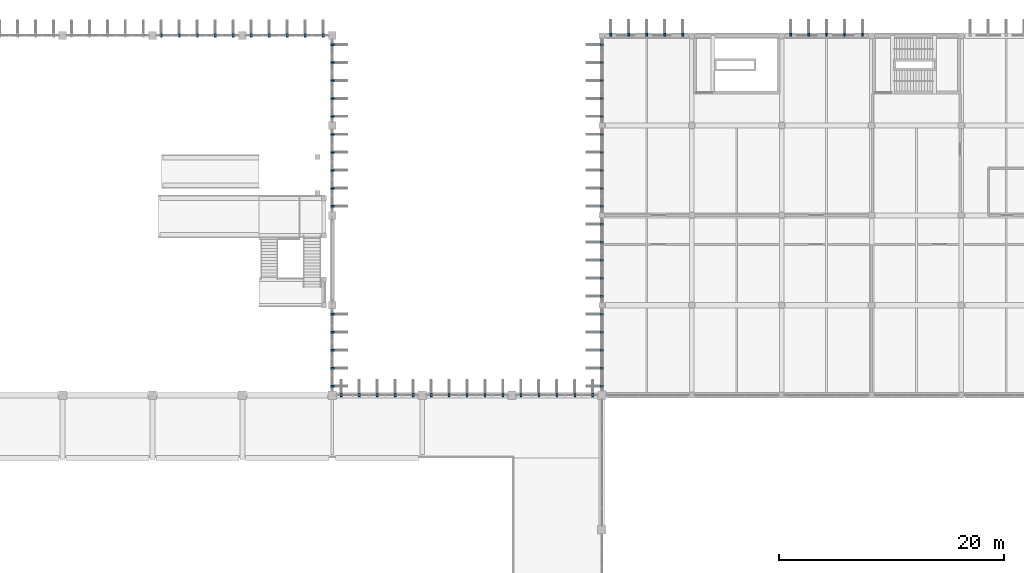
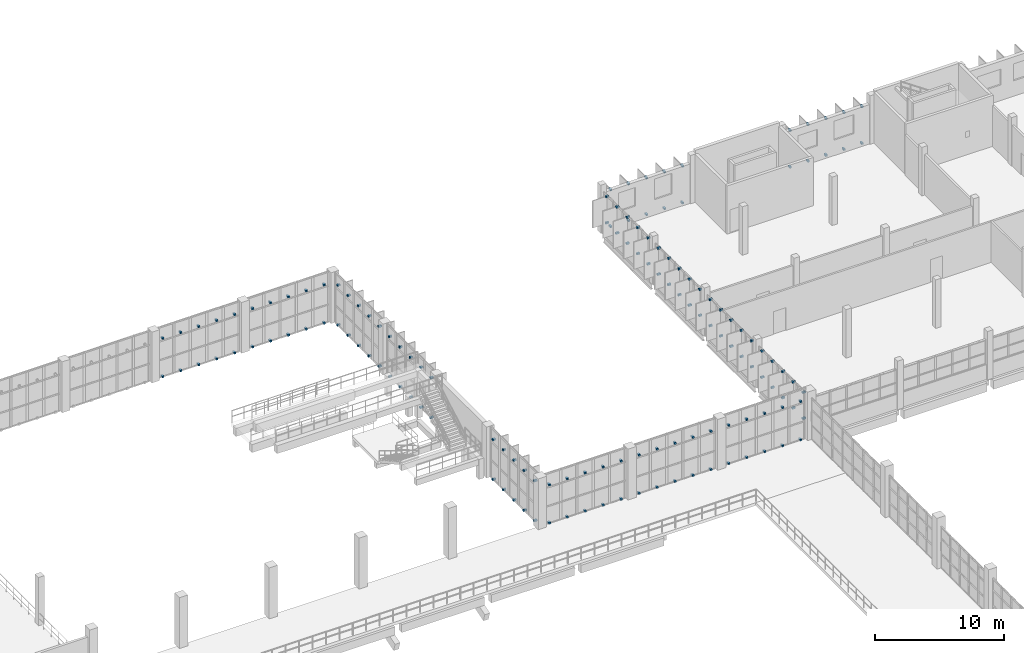
# One storey, part 83 of 93: 140 discrete accessories.
"""IFC4 building model written with IfcOpenShell, lengths in metres."""

from ifc_helpers import new_model, si_unit, direction, frame, origin, origin_2d, place, context, subcontext, project, spatial, rectangle, extrude, material, type_object, element, save


model = new_model("IFC4")

# Units and contexts
model_context = context("Model", 3, precision=1e-05, world=origin(), true_north=direction((0.0, 1.0)))
body_context = subcontext(model_context, "Body", "Model", "MODEL_VIEW")
ifc_project = project(units=[si_unit("LENGTHUNIT", "METRE"), si_unit("AREAUNIT", "SQUARE_METRE"), si_unit("VOLUMEUNIT", "CUBIC_METRE"), si_unit("PLANEANGLEUNIT", "RADIAN"), si_unit("MASSUNIT", "GRAM", prefix="KILO")], contexts=[model_context])

# Site, building, storey
site_placement = place(None, origin())
site = spatial("IfcSite", under=ifc_project, at=site_placement, CompositionType="ELEMENT")
building_placement = place(site_placement, origin())
building = spatial("IfcBuilding", under=site, at=building_placement, Name="Drelvana Railside Aquatics Centre", CompositionType="ELEMENT")
storey_placement = place(building_placement, frame((0.0, 0.0, 5.39990234375)))
storey = spatial("IfcBuildingStorey", under=building, at=storey_placement, Name="L01", CompositionType="ELEMENT", Elevation=5.39990234375)

# Discrete accessories
ifc_material = material(Name="Stainless steel 316 facade bracket", Category="steel")
discrete_accessory_type = type_object("IfcDiscreteAccessoryType", Name="ACC-BRACKET-FIN", PredefinedType="BRACKET", material=ifc_material)
for number, where, z_axis, x_axis, name in (
    (1, (72.800048828125, 84.010009765625, -0.03466796875), (0.0, 0.0, 1.0), (0.0, 1.0, 0.0), "Shading fin bracket BK-0303"),
    (2, (72.800048828125, 84.010009765625, 3.5751953125), (0.0, 0.0, 1.0), (0.0, 1.0, 0.0), "Shading fin bracket BK-0304"),
    (3, (74.39990234375, 84.010009765625, -0.03466796875), (0.0, 0.0, 1.0), (0.0, 1.0, 0.0), "Shading fin bracket BK-0305"),
    (4, (74.39990234375, 84.010009765625, 3.5751953125), (0.0, 0.0, 1.0), (0.0, 1.0, 0.0), "Shading fin bracket BK-0306"),
    (5, (76.0, 84.010009765625, -0.03466796875), (0.0, 0.0, 1.0), (0.0, 1.0, 0.0), "Shading fin bracket BK-0307"),
    (6, (76.0, 84.010009765625, 3.5751953125), (0.0, 0.0, 1.0), (0.0, 1.0, 0.0), "Shading fin bracket BK-0308"),
    (7, (77.60009765625, 84.010009765625, -0.03466796875), (0.0, 0.0, 1.0), (0.0, 1.0, 0.0), "Shading fin bracket BK-0309"),
    (8, (77.60009765625, 84.010009765625, 3.5751953125), (0.0, 0.0, 1.0), (0.0, 1.0, 0.0), "Shading fin bracket BK-0310"),
    (9, (79.199951171875, 84.010009765625, -0.03466796875), (0.0, 0.0, 1.0), (0.0, 1.0, 0.0), "Shading fin bracket BK-0311"),
    (10, (79.199951171875, 84.010009765625, 3.5751953125), (0.0, 0.0, 1.0), (0.0, 1.0, 0.0), "Shading fin bracket BK-0312"),
    (11, (80.800048828125, 84.010009765625, -0.03466796875), (0.0, 0.0, 1.0), (0.0, 1.0, 0.0), "Shading fin bracket BK-0315"),
    (12, (80.800048828125, 84.010009765625, 3.5751953125), (0.0, 0.0, 1.0), (0.0, 1.0, 0.0), "Shading fin bracket BK-0316"),
    (13, (82.39990234375, 84.010009765625, -0.03466796875), (0.0, 0.0, 1.0), (0.0, 1.0, 0.0), "Shading fin bracket BK-0317"),
    (14, (82.39990234375, 84.010009765625, 3.5751953125), (0.0, 0.0, 1.0), (0.0, 1.0, 0.0), "Shading fin bracket BK-0318"),
    (15, (84.0, 84.010009765625, -0.03466796875), (0.0, 0.0, 1.0), (0.0, 1.0, 0.0), "Shading fin bracket BK-0319"),
    (16, (84.0, 84.010009765625, 3.5751953125), (0.0, 0.0, 1.0), (0.0, 1.0, 0.0), "Shading fin bracket BK-0320"),
    (17, (85.60009765625, 84.010009765625, -0.03466796875), (0.0, 0.0, 1.0), (0.0, 1.0, 0.0), "Shading fin bracket BK-0321"),
    (18, (85.60009765625, 84.010009765625, 3.5751953125), (0.0, 0.0, 1.0), (0.0, 1.0, 0.0), "Shading fin bracket BK-0322"),
    (19, (87.199951171875, 84.010009765625, -0.03466796875), (0.0, 0.0, 1.0), (0.0, 1.0, 0.0), "Shading fin bracket BK-0323"),
    (20, (87.199951171875, 84.010009765625, 3.5751953125), (0.0, 0.0, 1.0), (0.0, 1.0, 0.0), "Shading fin bracket BK-0324"),
    (21, (88.800048828125, 84.010009765625, -0.03466796875), (0.0, 0.0, 1.0), (0.0, 1.0, 0.0), "Shading fin bracket BK-0335"),
    (22, (88.800048828125, 84.010009765625, 3.5751953125), (0.0, 0.0, 1.0), (0.0, 1.0, 0.0), "Shading fin bracket BK-0336"),
    (23, (90.39990234375, 84.010009765625, -0.03466796875), (0.0, 0.0, 1.0), (0.0, 1.0, 0.0), "Shading fin bracket BK-0337"),
    (24, (90.39990234375, 84.010009765625, 3.5751953125), (0.0, 0.0, 1.0), (0.0, 1.0, 0.0), "Shading fin bracket BK-0338"),
    (25, (92.0, 84.010009765625, -0.03466796875), (0.0, 0.0, 1.0), (0.0, 1.0, 0.0), "Shading fin bracket BK-0339"),
    (26, (92.0, 84.010009765625, 3.5751953125), (0.0, 0.0, 1.0), (0.0, 1.0, 0.0), "Shading fin bracket BK-0340"),
    (27, (93.60009765625, 84.010009765625, -0.03466796875), (0.0, 0.0, 1.0), (0.0, 1.0, 0.0), "Shading fin bracket BK-0341"),
    (28, (93.60009765625, 84.010009765625, 3.5751953125), (0.0, 0.0, 1.0), (0.0, 1.0, 0.0), "Shading fin bracket BK-0342"),
    (29, (95.199951171875, 84.010009765625, -0.03466796875), (0.0, 0.0, 1.0), (0.0, 1.0, 0.0), "Shading fin bracket BK-0343"),
    (30, (95.199951171875, 84.010009765625, 3.5751953125), (0.0, 0.0, 1.0), (0.0, 1.0, 0.0), "Shading fin bracket BK-0344"),
    (31, (56.800048828125, 116.010009765625, -0.03466796875), (0.0, 0.0, 1.0), (0.0, 1.0, 0.0), "Shading fin bracket BK-0383"),
    (32, (56.800048828125, 116.010009765625, 3.5751953125), (0.0, 0.0, 1.0), (0.0, 1.0, 0.0), "Shading fin bracket BK-0384"),
    (33, (58.39990234375, 116.010009765625, -0.03466796875), (0.0, 0.0, 1.0), (0.0, 1.0, 0.0), "Shading fin bracket BK-0385"),
    (34, (58.39990234375, 116.010009765625, 3.5751953125), (0.0, 0.0, 1.0), (0.0, 1.0, 0.0), "Shading fin bracket BK-0386"),
    (35, (60.0, 116.010009765625, -0.03466796875), (0.0, 0.0, 1.0), (0.0, 1.0, 0.0), "Shading fin bracket BK-0387"),
    (36, (60.0, 116.010009765625, 3.5751953125), (0.0, 0.0, 1.0), (0.0, 1.0, 0.0), "Shading fin bracket BK-0388"),
    (37, (61.60009765625, 116.010009765625, -0.03466796875), (0.0, 0.0, 1.0), (0.0, 1.0, 0.0), "Shading fin bracket BK-0389"),
    (38, (61.60009765625, 116.010009765625, 3.5751953125), (0.0, 0.0, 1.0), (0.0, 1.0, 0.0), "Shading fin bracket BK-0390"),
    (39, (63.199951171875, 116.010009765625, -0.03466796875), (0.0, 0.0, 1.0), (0.0, 1.0, 0.0), "Shading fin bracket BK-0391"),
    (40, (63.199951171875, 116.010009765625, 3.5751953125), (0.0, 0.0, 1.0), (0.0, 1.0, 0.0), "Shading fin bracket BK-0392"),
    (41, (64.800048828125, 116.010009765625, -0.03466796875), (0.0, 0.0, 1.0), (0.0, 1.0, 0.0), "Shading fin bracket BK-0403"),
    (42, (64.800048828125, 116.010009765625, 3.5751953125), (0.0, 0.0, 1.0), (0.0, 1.0, 0.0), "Shading fin bracket BK-0404"),
    (43, (66.39990234375, 116.010009765625, -0.03466796875), (0.0, 0.0, 1.0), (0.0, 1.0, 0.0), "Shading fin bracket BK-0405"),
    (44, (66.39990234375, 116.010009765625, 3.5751953125), (0.0, 0.0, 1.0), (0.0, 1.0, 0.0), "Shading fin bracket BK-0406"),
    (45, (68.0, 116.010009765625, -0.03466796875), (0.0, 0.0, 1.0), (0.0, 1.0, 0.0), "Shading fin bracket BK-0407"),
    (46, (68.0, 116.010009765625, 3.5751953125), (0.0, 0.0, 1.0), (0.0, 1.0, 0.0), "Shading fin bracket BK-0408"),
    (47, (69.60009765625, 116.010009765625, -0.03466796875), (0.0, 0.0, 1.0), (0.0, 1.0, 0.0), "Shading fin bracket BK-0409"),
    (48, (69.60009765625, 116.010009765625, 3.5751953125), (0.0, 0.0, 1.0), (0.0, 1.0, 0.0), "Shading fin bracket BK-0410"),
    (49, (71.199951171875, 116.010009765625, -0.03466796875), (0.0, 0.0, 1.0), (0.0, 1.0, 0.0), "Shading fin bracket BK-0411"),
    (50, (71.199951171875, 116.010009765625, 3.5751953125), (0.0, 0.0, 1.0), (0.0, 1.0, 0.0), "Shading fin bracket BK-0412"),
    (51, (72.02490234375, 84.800048828125, -0.03466796875), (0.0, 0.0, 1.0), (1.0, 0.0, 0.0), "Shading fin bracket BK-0905"),
    (52, (72.02490234375, 84.800048828125, 3.72509765625), (0.0, 0.0, 1.0), (1.0, 0.0, 0.0), "Shading fin bracket BK-0906"),
    (53, (72.02490234375, 86.39990234375, -0.03466796875), (0.0, 0.0, 1.0), (1.0, 0.0, 0.0), "Shading fin bracket BK-0907"),
    (54, (72.02490234375, 86.39990234375, 3.72509765625), (0.0, 0.0, 1.0), (1.0, 0.0, 0.0), "Shading fin bracket BK-0908"),
    (55, (72.02490234375, 88.0, -0.03466796875), (0.0, 0.0, 1.0), (1.0, 0.0, 0.0), "Shading fin bracket BK-0909"),
    (56, (72.02490234375, 88.0, 3.72509765625), (0.0, 0.0, 1.0), (1.0, 0.0, 0.0), "Shading fin bracket BK-0910"),
    (57, (72.02490234375, 89.60009765625, -0.03466796875), (0.0, 0.0, 1.0), (1.0, 0.0, 0.0), "Shading fin bracket BK-0911"),
    (58, (72.02490234375, 89.60009765625, 3.72509765625), (0.0, 0.0, 1.0), (1.0, 0.0, 0.0), "Shading fin bracket BK-0912"),
    (59, (72.02490234375, 91.199951171875, -0.03466796875), (0.0, 0.0, 1.0), (1.0, 0.0, 0.0), "Shading fin bracket BK-0913"),
    (60, (72.02490234375, 91.199951171875, 3.72509765625), (0.0, 0.0, 1.0), (1.0, 0.0, 0.0), "Shading fin bracket BK-0914"),
    (61, (72.02490234375, 100.800048828125, -0.03466796875), (0.0, 0.0, 1.0), (1.0, 0.0, 0.0), "Shading fin bracket BK-0915"),
    (62, (72.02490234375, 100.800048828125, 3.72509765625), (0.0, 0.0, 1.0), (1.0, 0.0, 0.0), "Shading fin bracket BK-0916"),
    (63, (72.02490234375, 102.39990234375, -0.03466796875), (0.0, 0.0, 1.0), (1.0, 0.0, 0.0), "Shading fin bracket BK-0917"),
    (64, (72.02490234375, 102.39990234375, 3.72509765625), (0.0, 0.0, 1.0), (1.0, 0.0, 0.0), "Shading fin bracket BK-0918"),
    (65, (72.02490234375, 104.0, -0.03466796875), (0.0, 0.0, 1.0), (1.0, 0.0, 0.0), "Shading fin bracket BK-0919"),
    (66, (72.02490234375, 104.0, 3.72509765625), (0.0, 0.0, 1.0), (1.0, 0.0, 0.0), "Shading fin bracket BK-0920"),
    (67, (72.02490234375, 105.60009765625, -0.03466796875), (0.0, 0.0, 1.0), (1.0, 0.0, 0.0), "Shading fin bracket BK-0921"),
    (68, (72.02490234375, 105.60009765625, 3.72509765625), (0.0, 0.0, 1.0), (1.0, 0.0, 0.0), "Shading fin bracket BK-0922"),
    (69, (72.02490234375, 107.199951171875, -0.03466796875), (0.0, 0.0, 1.0), (1.0, 0.0, 0.0), "Shading fin bracket BK-0923"),
    (70, (72.02490234375, 107.199951171875, 3.72509765625), (0.0, 0.0, 1.0), (1.0, 0.0, 0.0), "Shading fin bracket BK-0924"),
    (71, (72.02490234375, 108.800048828125, -0.03466796875), (0.0, 0.0, 1.0), (1.0, 0.0, 0.0), "Shading fin bracket BK-0925"),
    (72, (72.02490234375, 108.800048828125, 3.72509765625), (0.0, 0.0, 1.0), (1.0, 0.0, 0.0), "Shading fin bracket BK-0926"),
    (73, (72.02490234375, 110.39990234375, -0.03466796875), (0.0, 0.0, 1.0), (1.0, 0.0, 0.0), "Shading fin bracket BK-0927"),
    (74, (72.02490234375, 110.39990234375, 3.72509765625), (0.0, 0.0, 1.0), (1.0, 0.0, 0.0), "Shading fin bracket BK-0928"),
    (75, (72.02490234375, 112.0, -0.03466796875), (0.0, 0.0, 1.0), (1.0, 0.0, 0.0), "Shading fin bracket BK-0929"),
    (76, (72.02490234375, 112.0, 3.72509765625), (0.0, 0.0, 1.0), (1.0, 0.0, 0.0), "Shading fin bracket BK-0930"),
    (77, (72.02490234375, 113.60009765625, -0.03466796875), (0.0, 0.0, 1.0), (1.0, 0.0, 0.0), "Shading fin bracket BK-0931"),
    (78, (72.02490234375, 113.60009765625, 3.72509765625), (0.0, 0.0, 1.0), (1.0, 0.0, 0.0), "Shading fin bracket BK-0932"),
    (79, (72.02490234375, 115.199951171875, -0.03466796875), (0.0, 0.0, 1.0), (1.0, 0.0, 0.0), "Shading fin bracket BK-0933"),
    (80, (72.02490234375, 115.199951171875, 3.72509765625), (0.0, 0.0, 1.0), (1.0, 0.0, 0.0), "Shading fin bracket BK-0934"),
    (81, (96.800048828125, 116.0849609375, 0.06494140625), (0.0, 0.0, 1.0), (0.0, 1.0, 0.0), "Shading fin bracket BK-0955"),
    (82, (96.800048828125, 116.0849609375, 3.52490234375), (0.0, 0.0, 1.0), (0.0, 1.0, 0.0), "Shading fin bracket BK-0956"),
    (83, (98.39990234375, 116.0849609375, 0.06494140625), (0.0, 0.0, 1.0), (0.0, 1.0, 0.0), "Shading fin bracket BK-0957"),
    (84, (98.39990234375, 116.0849609375, 3.52490234375), (0.0, 0.0, 1.0), (0.0, 1.0, 0.0), "Shading fin bracket BK-0958"),
    (85, (100.0, 116.0849609375, 0.06494140625), (0.0, 0.0, 1.0), (0.0, 1.0, 0.0), "Shading fin bracket BK-0959"),
    (86, (100.0, 116.0849609375, 3.52490234375), (0.0, 0.0, 1.0), (0.0, 1.0, 0.0), "Shading fin bracket BK-0960"),
    (87, (101.60009765625, 116.0849609375, 0.06494140625), (0.0, 0.0, 1.0), (0.0, 1.0, 0.0), "Shading fin bracket BK-0961"),
    (88, (101.60009765625, 116.0849609375, 3.52490234375), (0.0, 0.0, 1.0), (0.0, 1.0, 0.0), "Shading fin bracket BK-0962"),
    (89, (103.199951171875, 116.0849609375, 0.06494140625), (0.0, 0.0, 1.0), (0.0, 1.0, 0.0), "Shading fin bracket BK-0963"),
    (90, (103.199951171875, 116.0849609375, 3.52490234375), (0.0, 0.0, 1.0), (0.0, 1.0, 0.0), "Shading fin bracket BK-0964"),
    (91, (112.800048828125, 116.0849609375, 0.06494140625), (0.0, 0.0, 1.0), (0.0, 1.0, 0.0), "Shading fin bracket BK-0975"),
    (92, (112.800048828125, 116.0849609375, 3.52490234375), (0.0, 0.0, 1.0), (0.0, 1.0, 0.0), "Shading fin bracket BK-0976"),
    (93, (114.39990234375, 116.0849609375, 0.06494140625), (0.0, 0.0, 1.0), (0.0, 1.0, 0.0), "Shading fin bracket BK-0977"),
    (94, (114.39990234375, 116.0849609375, 3.52490234375), (0.0, 0.0, 1.0), (0.0, 1.0, 0.0), "Shading fin bracket BK-0978"),
    (95, (116.0, 116.0849609375, 0.06494140625), (0.0, 0.0, 1.0), (0.0, 1.0, 0.0), "Shading fin bracket BK-0979"),
    (96, (116.0, 116.0849609375, 3.52490234375), (0.0, 0.0, 1.0), (0.0, 1.0, 0.0), "Shading fin bracket BK-0980"),
    (97, (117.60009765625, 116.0849609375, 0.06494140625), (0.0, 0.0, 1.0), (0.0, 1.0, 0.0), "Shading fin bracket BK-0981"),
    (98, (117.60009765625, 116.0849609375, 3.52490234375), (0.0, 0.0, 1.0), (0.0, 1.0, 0.0), "Shading fin bracket BK-0982"),
    (99, (119.199951171875, 116.0849609375, 0.06494140625), (0.0, 0.0, 1.0), (0.0, 1.0, 0.0), "Shading fin bracket BK-0983"),
    (100, (119.199951171875, 116.0849609375, 3.52490234375), (0.0, 0.0, 1.0), (0.0, 1.0, 0.0), "Shading fin bracket BK-0984"),
    (101, (95.97509765625, 84.800048828125, 1.21533203125), (0.0, 0.0, 1.0), (-1.0, 0.0, 0.0), "Shading fin bracket BK-1015"),
    (102, (95.97509765625, 84.800048828125, 3.67529296875), (0.0, 0.0, 1.0), (-1.0, 0.0, 0.0), "Shading fin bracket BK-1016"),
    (103, (95.97509765625, 86.39990234375, 1.21533203125), (0.0, 0.0, 1.0), (-1.0, 0.0, 0.0), "Shading fin bracket BK-1017"),
    (104, (95.97509765625, 86.39990234375, 3.67529296875), (0.0, 0.0, 1.0), (-1.0, 0.0, 0.0), "Shading fin bracket BK-1018"),
    (105, (95.97509765625, 88.0, 1.21533203125), (0.0, 0.0, 1.0), (-1.0, 0.0, 0.0), "Shading fin bracket BK-1019"),
    (106, (95.97509765625, 88.0, 3.67529296875), (0.0, 0.0, 1.0), (-1.0, 0.0, 0.0), "Shading fin bracket BK-1020"),
    (107, (95.97509765625, 89.60009765625, 1.21533203125), (0.0, 0.0, 1.0), (-1.0, 0.0, 0.0), "Shading fin bracket BK-1021"),
    (108, (95.97509765625, 89.60009765625, 3.67529296875), (0.0, 0.0, 1.0), (-1.0, 0.0, 0.0), "Shading fin bracket BK-1022"),
    (109, (95.97509765625, 91.199951171875, 1.21533203125), (0.0, 0.0, 1.0), (-1.0, 0.0, 0.0), "Shading fin bracket BK-1023"),
    (110, (95.97509765625, 91.199951171875, 3.67529296875), (0.0, 0.0, 1.0), (-1.0, 0.0, 0.0), "Shading fin bracket BK-1024"),
    (111, (95.97509765625, 92.800048828125, 1.21533203125), (0.0, 0.0, 1.0), (-1.0, 0.0, 0.0), "Shading fin bracket BK-1035"),
    (112, (95.97509765625, 92.800048828125, 3.67529296875), (0.0, 0.0, 1.0), (-1.0, 0.0, 0.0), "Shading fin bracket BK-1036"),
    (113, (95.97509765625, 94.39990234375, 1.21533203125), (0.0, 0.0, 1.0), (-1.0, 0.0, 0.0), "Shading fin bracket BK-1037"),
    (114, (95.97509765625, 94.39990234375, 3.67529296875), (0.0, 0.0, 1.0), (-1.0, 0.0, 0.0), "Shading fin bracket BK-1038"),
    (115, (95.97509765625, 96.0, 1.21533203125), (0.0, 0.0, 1.0), (-1.0, 0.0, 0.0), "Shading fin bracket BK-1039"),
    (116, (95.97509765625, 96.0, 3.67529296875), (0.0, 0.0, 1.0), (-1.0, 0.0, 0.0), "Shading fin bracket BK-1040"),
    (117, (95.97509765625, 97.60009765625, 1.21533203125), (0.0, 0.0, 1.0), (-1.0, 0.0, 0.0), "Shading fin bracket BK-1041"),
    (118, (95.97509765625, 97.60009765625, 3.67529296875), (0.0, 0.0, 1.0), (-1.0, 0.0, 0.0), "Shading fin bracket BK-1042"),
    (119, (95.97509765625, 99.199951171875, 1.21533203125), (0.0, 0.0, 1.0), (-1.0, 0.0, 0.0), "Shading fin bracket BK-1043"),
    (120, (95.97509765625, 99.199951171875, 3.67529296875), (0.0, 0.0, 1.0), (-1.0, 0.0, 0.0), "Shading fin bracket BK-1044"),
    (121, (95.97509765625, 100.800048828125, 1.21533203125), (0.0, 0.0, 1.0), (-1.0, 0.0, 0.0), "Shading fin bracket BK-1055"),
    (122, (95.97509765625, 100.800048828125, 3.67529296875), (0.0, 0.0, 1.0), (-1.0, 0.0, 0.0), "Shading fin bracket BK-1056"),
    (123, (95.97509765625, 102.39990234375, 1.21533203125), (0.0, 0.0, 1.0), (-1.0, 0.0, 0.0), "Shading fin bracket BK-1057"),
    (124, (95.97509765625, 102.39990234375, 3.67529296875), (0.0, 0.0, 1.0), (-1.0, 0.0, 0.0), "Shading fin bracket BK-1058"),
    (125, (95.97509765625, 104.0, 1.21533203125), (0.0, 0.0, 1.0), (-1.0, 0.0, 0.0), "Shading fin bracket BK-1059"),
    (126, (95.97509765625, 104.0, 3.67529296875), (0.0, 0.0, 1.0), (-1.0, 0.0, 0.0), "Shading fin bracket BK-1060"),
    (127, (95.97509765625, 105.60009765625, 1.21533203125), (0.0, 0.0, 1.0), (-1.0, 0.0, 0.0), "Shading fin bracket BK-1061"),
    (128, (95.97509765625, 105.60009765625, 3.67529296875), (0.0, 0.0, 1.0), (-1.0, 0.0, 0.0), "Shading fin bracket BK-1062"),
    (129, (95.97509765625, 107.199951171875, 1.21533203125), (0.0, 0.0, 1.0), (-1.0, 0.0, 0.0), "Shading fin bracket BK-1063"),
    (130, (95.97509765625, 107.199951171875, 3.67529296875), (0.0, 0.0, 1.0), (-1.0, 0.0, 0.0), "Shading fin bracket BK-1064"),
    (131, (95.97509765625, 108.800048828125, 1.21533203125), (0.0, 0.0, 1.0), (-1.0, 0.0, 0.0), "Shading fin bracket BK-1075"),
    (132, (95.97509765625, 108.800048828125, 3.67529296875), (0.0, 0.0, 1.0), (-1.0, 0.0, 0.0), "Shading fin bracket BK-1076"),
    (133, (95.97509765625, 110.39990234375, 1.21533203125), (0.0, 0.0, 1.0), (-1.0, 0.0, 0.0), "Shading fin bracket BK-1077"),
    (134, (95.97509765625, 110.39990234375, 3.67529296875), (0.0, 0.0, 1.0), (-1.0, 0.0, 0.0), "Shading fin bracket BK-1078"),
    (135, (95.97509765625, 112.0, 1.21533203125), (0.0, 0.0, 1.0), (-1.0, 0.0, 0.0), "Shading fin bracket BK-1079"),
    (136, (95.97509765625, 112.0, 3.67529296875), (0.0, 0.0, 1.0), (-1.0, 0.0, 0.0), "Shading fin bracket BK-1080"),
    (137, (95.97509765625, 113.60009765625, 1.21533203125), (0.0, 0.0, 1.0), (-1.0, 0.0, 0.0), "Shading fin bracket BK-1081"),
    (138, (95.97509765625, 113.60009765625, 3.67529296875), (0.0, 0.0, 1.0), (-1.0, 0.0, 0.0), "Shading fin bracket BK-1082"),
    (139, (95.97509765625, 115.199951171875, 1.21533203125), (0.0, 0.0, 1.0), (-1.0, 0.0, 0.0), "Shading fin bracket BK-1083"),
    (140, (95.97509765625, 115.199951171875, 3.67529296875), (0.0, 0.0, 1.0), (-1.0, 0.0, 0.0), "Shading fin bracket BK-1084"),
):
    element("IfcDiscreteAccessory", number, at=place(storey_placement, frame(where, z_axis=z_axis, x_axis=x_axis)), inside=storey, type_object=discrete_accessory_type, Name=name, PredefinedType="BRACKET", context=body_context, shape_type="SweptSolid", body=[
        extrude(rectangle(XDim=0.280029296875, YDim=0.159912109375, at=origin_2d()), origin(), (0.0, 0.0, 1.0), 0.159912109375),
    ])

save(model, "model.ifc")
